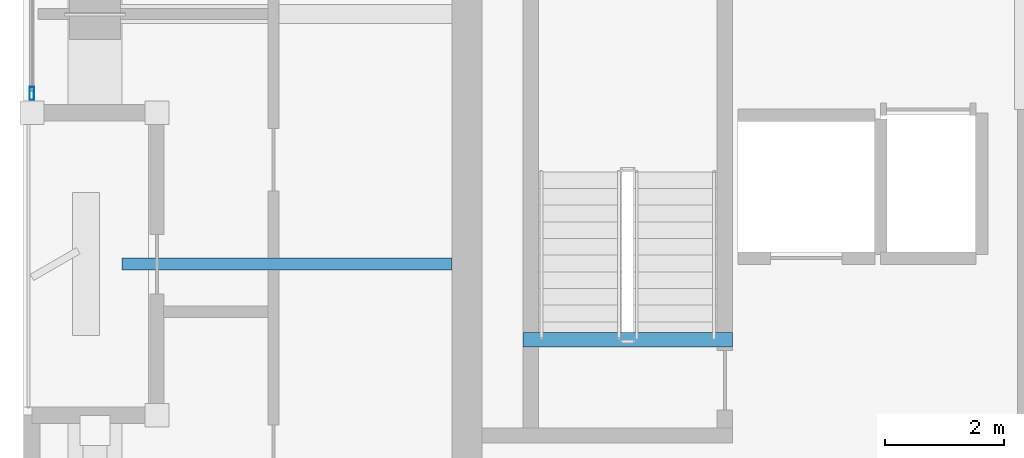
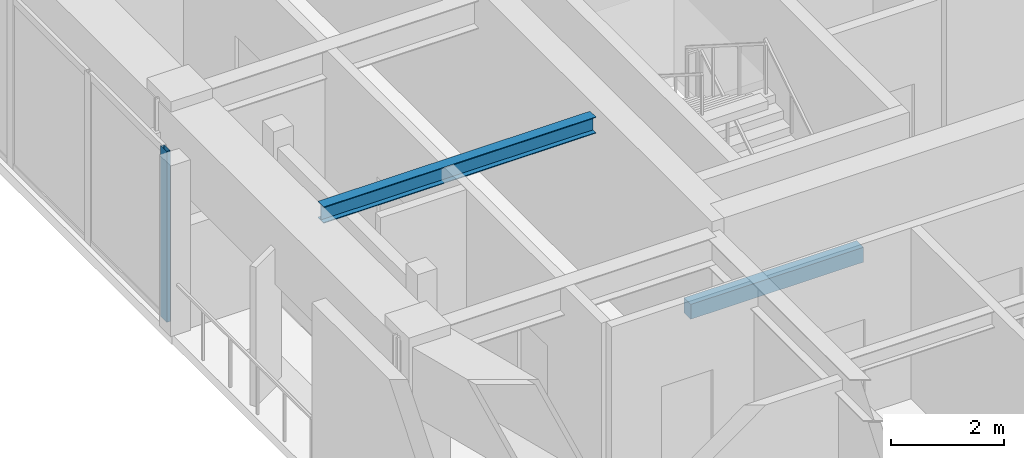
# One storey, part 2 of 16: 2 beams, 1 member, 1 element without a shape of its own.
"""IFC4 building model written with IfcOpenShell, lengths in metres."""

from ifc_helpers import new_model, si_unit, direction, frame, origin, origin_2d, place, context, subcontext, project, spatial, rectangle, hollow_rectangle, i_section, extrude, material, layer, layer_set, material_profile, profile_set, type_object, element, aggregate, save


model = new_model("IFC4")

# Units and contexts
model_context = context("Model", 3, precision=1e-05, world=origin(), true_north=direction((0.0, 1.0)))
body_context = subcontext(model_context, "Body", "Model", "MODEL_VIEW")
ifc_project = project(units=[si_unit("LENGTHUNIT", "METRE"), si_unit("AREAUNIT", "SQUARE_METRE"), si_unit("VOLUMEUNIT", "CUBIC_METRE"), si_unit("PLANEANGLEUNIT", "RADIAN"), si_unit("MASSUNIT", "GRAM", prefix="KILO")], contexts=[model_context])

# Site, building, storey
site_placement = place(None, origin())
site = spatial("IfcSite", under=ifc_project, at=site_placement, CompositionType="ELEMENT")
building_placement = place(site_placement, origin())
building = spatial("IfcBuilding", under=site, at=building_placement, Name="Kiyonajd Concourse Tower", CompositionType="ELEMENT")
storey_placement = place(building_placement, frame((0.0, 0.0, 346.5)))
storey = spatial("IfcBuildingStorey", under=building, at=storey_placement, Name="L87", CompositionType="ELEMENT", Elevation=346.5)

# Beams
ifc_material_1 = material(Name="Steel ASTM A992 Grade 50", Category="steel")
ifc_material_profile_1 = material_profile(ifc_material_1, i_section(OverallWidth=0.205078125, OverallDepth=0.35400390625, WebThickness=0.009521484375, FlangeThickness=0.016845703125, at=origin_2d()), Name="W360X79")
ifc_profile_set_1 = profile_set([ifc_material_profile_1], Name="Steel ASTM A992 Grade 50")
beam_type_1 = type_object("IfcBeamType", Name="BM-JST-360", PredefinedType="JOIST", material=ifc_profile_set_1)
beam_1_placement = place(storey_placement, frame((26.85009765625, 31.800048828125, 3.5029296875), z_axis=(1.0, 0.0, 0.0), x_axis=(0.0, 1.0, 0.0)))
element("IfcBeam", 1, at=beam_1_placement, inside=storey, type_object=beam_type_1, Name="L87 West Secondary Floor Joist", PredefinedType="JOIST", context=body_context, shape_type="SweptSolid", body=[
    extrude(i_section(OverallWidth=0.205078125, OverallDepth=0.35400390625, WebThickness=0.009521484375, FlangeThickness=0.016845703125, at=origin_2d()), origin(), (0.0, 0.0, 1.0), 5.5498046875),
])
ifc_material_2 = material(Name="Concrete C50/60", Category="concrete")
ifc_material_profile_2 = material_profile(ifc_material_2, rectangle(XDim=0.239990234375, YDim=0.320068359375, at=origin_2d()), Name="RCBM-240x320")
ifc_profile_set_2 = profile_set([ifc_material_profile_2], Name="Concrete C50/60")
beam_type_2 = type_object("IfcBeamType", Name="BM-LNT-250", PredefinedType="LINTEL", material=ifc_profile_set_2)
beam_2_placement = place(storey_placement, frame((33.590087890625, 30.530029296875, -0.159912109375), z_axis=(1.0, 0.0, 0.0), x_axis=(0.0, 1.0, 0.0)))
element("IfcBeam", 2, at=beam_2_placement, inside=storey, type_object=beam_type_2, Name="L87 Stair ST1 Threshold Support Beam", PredefinedType="LINTEL", context=body_context, shape_type="SweptSolid", body=[
    extrude(rectangle(XDim=0.239990234375, YDim=0.320068359375, at=origin_2d()), origin(), (0.0, 0.0, 1.0), 3.52001953125),
])

# Curtain wall, member
ifc_material_3 = material(Name="Thermally Broken Anodised Aluminium", Category="aluminium")
ifc_layer = layer(ifc_material_3, 0.179931640625)
ifc_layer_set = layer_set([ifc_layer], Name="Thermally Broken Anodised Aluminium")
curtain_wall_type = type_object("IfcCurtainWallType", Name="CW-SYS-06", PredefinedType="NOTDEFINED", material=ifc_layer_set)
curtain_wall_placement = place(storey_placement, origin())
curtain_wall = element("IfcCurtainWall", 3, at=curtain_wall_placement, inside=storey, type_object=curtain_wall_type, Name="L87 Unitised Curtain Wall CW6", PredefinedType="NOTDEFINED")
ifc_material_profile_3 = material_profile(ifc_material_3, hollow_rectangle(XDim=0.074951171875, YDim=0.219970703125, WallThickness=0.0048828125, at=origin_2d()), Name="MULL-75x220")
ifc_profile_set_3 = profile_set([ifc_material_profile_3], Name="Thermally Broken Anodised Aluminium")
member_type = type_object("IfcMemberType", Name="MB-CW-MULL2", PredefinedType="MULLION", material=ifc_profile_set_3)
member_placement = place(storey_placement, frame((25.340087890625, 34.66748046875, 0.0), z_axis=(0.0, 0.0, 1.0), x_axis=(-1.0, 0.0, 0.0)))
member = element("IfcMember", 4, at=member_placement, type_object=member_type, Name="CW6 mullion 1", PredefinedType="MULLION", context=body_context, shape_type="SweptSolid", body=[
    extrude(hollow_rectangle(XDim=0.074951171875, YDim=0.219970703125, WallThickness=0.0048828125, at=origin_2d()), origin(), (0.0, 0.0, 1.0), 3.679931640625),
])
aggregate(curtain_wall, [member])

save(model, "model.ifc")
